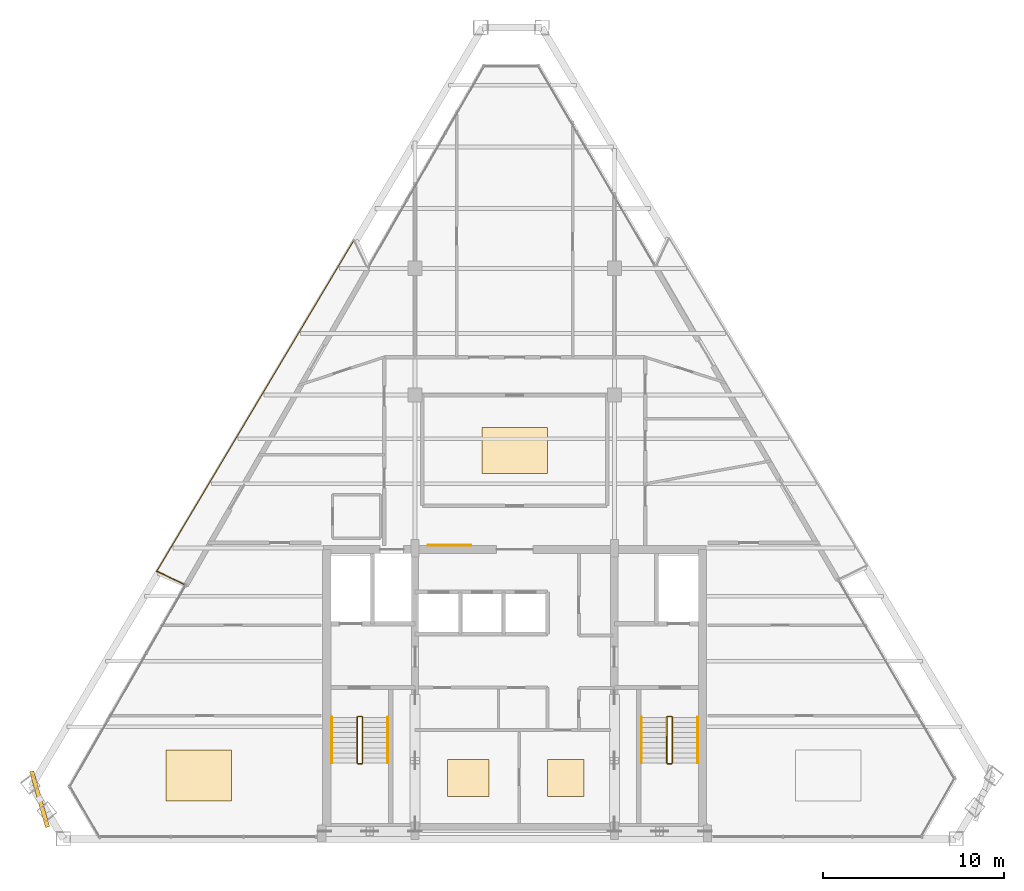
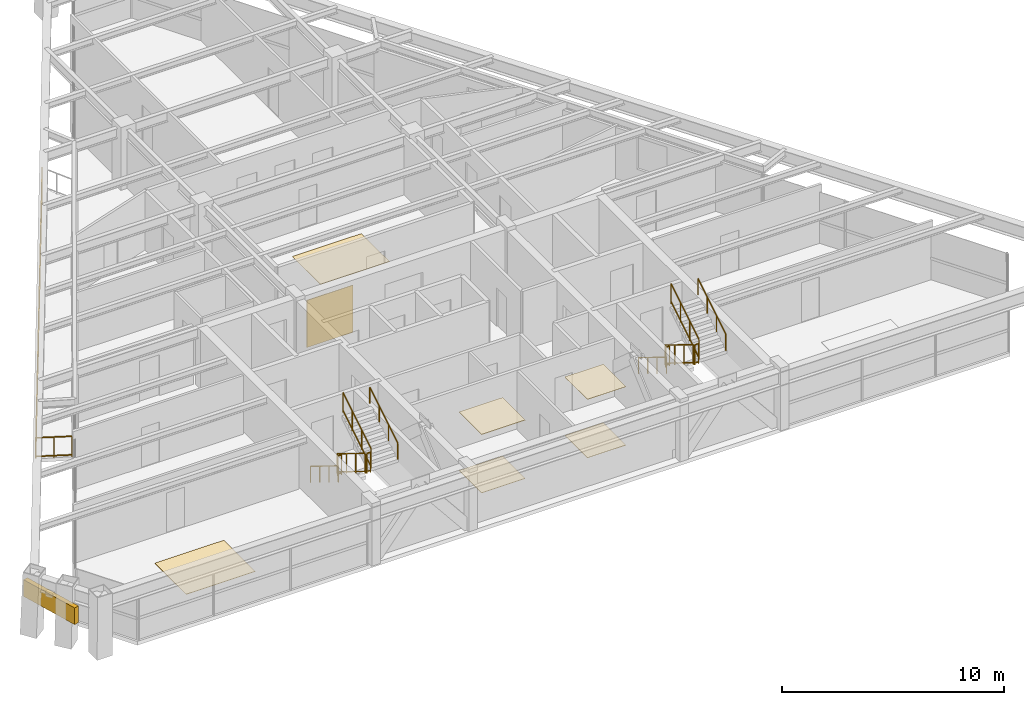
# One storey, part 12 of 13: 14 railings, 7 coverings, 1 shading device.
"""IFC4 building model written with IfcOpenShell, lengths in metres."""

from ifc_helpers import new_model, si_unit, direction, frame, origin, origin_2d, place, context, subcontext, project, spatial, rectangle, extrude, source, transform, mapped, material, layer, layer_set, type_object, type_shapes, element, save


model = new_model("IFC4")

# Units and contexts
model_context = context("Model", 3, precision=1e-05, world=origin(), true_north=direction((0.0, 1.0)))
body_context = subcontext(model_context, "Body", "Model", "MODEL_VIEW")
ifc_project = project(units=[si_unit("LENGTHUNIT", "METRE"), si_unit("AREAUNIT", "SQUARE_METRE"), si_unit("VOLUMEUNIT", "CUBIC_METRE"), si_unit("PLANEANGLEUNIT", "RADIAN"), si_unit("MASSUNIT", "GRAM", prefix="KILO")], contexts=[model_context])

# Site, building, storey
site_placement = place(None, origin())
site = spatial("IfcSite", under=ifc_project, at=site_placement, CompositionType="ELEMENT")
building_placement = place(site_placement, origin())
building = spatial("IfcBuilding", under=site, at=building_placement, Name="Varnakhor Terracotta Tower", CompositionType="ELEMENT")
storey_placement = place(building_placement, frame((0.0, 0.0, 286.800048828125)))
storey = spatial("IfcBuildingStorey", under=building, at=storey_placement, Name="L75", CompositionType="ELEMENT", Elevation=286.800048828125)

# Railings
ifc_material_1 = material(Name="Stainless Steel & Laminated Glass Guardrail", Category="steel")
railing_type_1 = type_object("IfcRailingType", Name="RLG-LOGGIA-GUARD-1150", PredefinedType="GUARDRAIL", material=ifc_material_1)
railing_1_placement = place(storey_placement, frame((-18.27001953125, 14.06298828125, 0.0)))
element("IfcRailing", 1, at=railing_1_placement, inside=storey, type_object=railing_type_1, Name="L75 W Loggia Glass Guard 1", PredefinedType="GUARDRAIL", context=body_context, shape_type="SweptSolid", body=[
    extrude(rectangle(XDim=0.048095703125, YDim=0.048095703125, at=origin_2d()), frame((0.0, 0.0, 1.1259765625), z_axis=(-0.901224607516, 0.433352289493, 0.0), x_axis=(-0.433352289493, -0.901224607516, 0.0)), (0.0, 0.0, 1.0), 1.64794921875),
    extrude(rectangle(XDim=0.048095703125, YDim=0.048095703125, at=origin_2d()), frame((0.0, 0.0, 0.10009765625), z_axis=(-0.901224607516, 0.433352289493, 0.0), x_axis=(-0.433352289493, -0.901224607516, 0.0)), (0.0, 0.0, 1.0), 1.64794921875),
    extrude(rectangle(XDim=0.0419921875, YDim=0.0419921875, at=origin_2d()), origin(), (0.0, 0.0, 1.0), 1.101806640625),
    extrude(rectangle(XDim=0.0419921875, YDim=0.0419921875, at=origin_2d()), frame((-0.74267578125, 0.35693359375, 0.0)), (0.0, 0.0, 1.0), 1.101806640625),
    extrude(rectangle(XDim=0.0419921875, YDim=0.0419921875, at=origin_2d()), frame((-1.485107421875, 0.714111328125, 0.0)), (0.0, 0.0, 1.0), 1.101806640625),
])
railing_2_placement = place(storey_placement, frame((-19.755126953125, 14.777099609375, 0.0)))
element("IfcRailing", 2, at=railing_2_placement, inside=storey, type_object=railing_type_1, Name="L75 W Loggia Glass Guard 2", PredefinedType="GUARDRAIL", context=body_context, shape_type="SweptSolid", body=[
    extrude(rectangle(XDim=0.048095703125, YDim=0.048095703125, at=origin_2d()), frame((0.0, 0.0, 1.1259765625), z_axis=(0.511507075382, 0.859279065167, 0.0), x_axis=(-0.859279065167, 0.511507075382, 0.0)), (0.0, 0.0, 1.0), 21.26123046875),
    extrude(rectangle(XDim=0.048095703125, YDim=0.048095703125, at=origin_2d()), frame((0.0, 0.0, 0.10009765625), z_axis=(0.511507075382, 0.859279065167, 0.0), x_axis=(-0.859279065167, 0.511507075382, 0.0)), (0.0, 0.0, 1.0), 21.26123046875),
    extrude(rectangle(XDim=0.0419921875, YDim=0.0419921875, at=origin_2d()), origin(), (0.0, 0.0, 1.0), 1.101806640625),
    extrude(rectangle(XDim=0.0419921875, YDim=0.0419921875, at=origin_2d()), frame((0.6796875, 1.141845703125, 0.0)), (0.0, 0.0, 1.0), 1.101806640625),
    extrude(rectangle(XDim=0.0419921875, YDim=0.0419921875, at=origin_2d()), frame((1.359375, 2.28369140625, 0.0)), (0.0, 0.0, 1.0), 1.101806640625),
    extrude(rectangle(XDim=0.0419921875, YDim=0.0419921875, at=origin_2d()), frame((2.0390625, 3.425537109375, 0.0)), (0.0, 0.0, 1.0), 1.101806640625),
    extrude(rectangle(XDim=0.0419921875, YDim=0.0419921875, at=origin_2d()), frame((2.71875, 4.5673828125, 0.0)), (0.0, 0.0, 1.0), 1.101806640625),
    extrude(rectangle(XDim=0.0419921875, YDim=0.0419921875, at=origin_2d()), frame((3.3984375, 5.709228515625, 0.0)), (0.0, 0.0, 1.0), 1.101806640625),
    extrude(rectangle(XDim=0.0419921875, YDim=0.0419921875, at=origin_2d()), frame((4.078125, 6.85107421875, 0.0)), (0.0, 0.0, 1.0), 1.101806640625),
    extrude(rectangle(XDim=0.0419921875, YDim=0.0419921875, at=origin_2d()), frame((4.7578125, 7.992919921875, 0.0)), (0.0, 0.0, 1.0), 1.101806640625),
    extrude(rectangle(XDim=0.0419921875, YDim=0.0419921875, at=origin_2d()), frame((5.4375, 9.134765625, 0.0)), (0.0, 0.0, 1.0), 1.101806640625),
    extrude(rectangle(XDim=0.0419921875, YDim=0.0419921875, at=origin_2d()), frame((6.117431640625, 10.2763671875, 0.0)), (0.0, 0.0, 1.0), 1.101806640625),
    extrude(rectangle(XDim=0.0419921875, YDim=0.0419921875, at=origin_2d()), frame((6.797119140625, 11.418212890625, 0.0)), (0.0, 0.0, 1.0), 1.101806640625),
    extrude(rectangle(XDim=0.0419921875, YDim=0.0419921875, at=origin_2d()), frame((7.476806640625, 12.56005859375, 0.0)), (0.0, 0.0, 1.0), 1.101806640625),
    extrude(rectangle(XDim=0.0419921875, YDim=0.0419921875, at=origin_2d()), frame((8.156494140625, 13.701904296875, 0.0)), (0.0, 0.0, 1.0), 1.101806640625),
    extrude(rectangle(XDim=0.0419921875, YDim=0.0419921875, at=origin_2d()), frame((8.836181640625, 14.84375, 0.0)), (0.0, 0.0, 1.0), 1.101806640625),
    extrude(rectangle(XDim=0.0419921875, YDim=0.0419921875, at=origin_2d()), frame((9.515869140625, 15.985595703125, 0.0)), (0.0, 0.0, 1.0), 1.101806640625),
    extrude(rectangle(XDim=0.0419921875, YDim=0.0419921875, at=origin_2d()), frame((10.195556640625, 17.12744140625, 0.0)), (0.0, 0.0, 1.0), 1.101806640625),
    extrude(rectangle(XDim=0.0419921875, YDim=0.0419921875, at=origin_2d()), frame((10.875244140625, 18.269287109375, 0.0)), (0.0, 0.0, 1.0), 1.101806640625),
])
ifc_material_2 = material(Name="Painted Steel Stairwell Guardrail", Category="steel")
railing_type_2 = type_object("IfcRailingType", Name="RLG-STAIR-GUARD-1120", PredefinedType="GUARDRAIL", material=ifc_material_2)
railing_3_placement = place(storey_placement, frame((-8.699951171875, 6.7099609375, 0.17236328125)))
element("IfcRailing", 3, at=railing_3_placement, inside=storey, type_object=railing_type_2, Name="L75 ST-1 stair guard 1", PredefinedType="GUARDRAIL", context=body_context, shape_type="SweptSolid", body=[
    extrude(rectangle(XDim=0.048095703125, YDim=0.048095703125, at=origin_2d()), frame((0.0, 0.0, 1.09619140625), z_axis=(0.0, -0.851400495292, 0.524516154772), x_axis=(1.0, 0.0, 0.0)), (0.0, 0.0, 1.0), 2.9599609375),
    extrude(rectangle(XDim=0.048095703125, YDim=0.048095703125, at=origin_2d()), frame((0.0, 0.0, 0.10009765625), z_axis=(0.0, -0.851400495292, 0.524516154772), x_axis=(1.0, 0.0, 0.0)), (0.0, 0.0, 1.0), 2.9599609375),
    extrude(rectangle(XDim=0.0419921875, YDim=0.0419921875, at=origin_2d()), origin(), (0.0, 0.0, 1.0), 1.072021484375),
    extrude(rectangle(XDim=0.0419921875, YDim=0.0419921875, at=origin_2d()), frame((0.0, -0.840087890625, 0.517578125)), (0.0, 0.0, 1.0), 1.072021484375),
    extrude(rectangle(XDim=0.0419921875, YDim=0.0419921875, at=origin_2d()), frame((0.0, -1.679931640625, 1.034912109375)), (0.0, 0.0, 1.0), 1.072021484375),
    extrude(rectangle(XDim=0.0419921875, YDim=0.0419921875, at=origin_2d()), frame((0.0, -2.52001953125, 1.552490234375)), (0.0, 0.0, 1.0), 1.072021484375),
])
railing_4_placement = place(storey_placement, frame((-8.64990234375, 4.139892578125, 1.724853515625)))
element("IfcRailing", 4, at=railing_4_placement, inside=storey, type_object=railing_type_2, Name="L75 ST-1 stair guard 2", PredefinedType="GUARDRAIL", context=body_context, shape_type="SweptSolid", body=[
    extrude(rectangle(XDim=0.048095703125, YDim=0.048095703125, at=origin_2d()), frame((0.0, 0.0, 1.09619140625), z_axis=(1.0, 0.0, 0.0), x_axis=(0.0, 1.0, 0.0)), (0.0, 0.0, 1.0), 0.199951171875),
    extrude(rectangle(XDim=0.048095703125, YDim=0.048095703125, at=origin_2d()), frame((0.0, 0.0, 0.10009765625), z_axis=(1.0, 0.0, 0.0), x_axis=(0.0, 1.0, 0.0)), (0.0, 0.0, 1.0), 0.199951171875),
    extrude(rectangle(XDim=0.0419921875, YDim=0.0419921875, at=origin_2d()), origin(), (0.0, 0.0, 1.0), 1.072021484375),
    extrude(rectangle(XDim=0.0419921875, YDim=0.0419921875, at=origin_2d()), frame((0.199951171875, 0.0, 0.0)), (0.0, 0.0, 1.0), 1.072021484375),
])
railing_5_placement = place(storey_placement, frame((-8.39990234375, 4.18994140625, 1.8974609375)))
element("IfcRailing", 5, at=railing_5_placement, inside=storey, type_object=railing_type_2, Name="L75 ST-1 stair guard 3", PredefinedType="GUARDRAIL", context=body_context, shape_type="SweptSolid", body=[
    extrude(rectangle(XDim=0.048095703125, YDim=0.048095703125, at=origin_2d()), frame((0.0, 0.0, 1.09619140625), z_axis=(0.0, 0.851400495292, 0.524516154772), x_axis=(-1.0, 0.0, 0.0)), (0.0, 0.0, 1.0), 2.9599609375),
    extrude(rectangle(XDim=0.048095703125, YDim=0.048095703125, at=origin_2d()), frame((0.0, 0.0, 0.10009765625), z_axis=(0.0, 0.851400495292, 0.524516154772), x_axis=(-1.0, 0.0, 0.0)), (0.0, 0.0, 1.0), 2.9599609375),
    extrude(rectangle(XDim=0.0419921875, YDim=0.0419921875, at=origin_2d()), origin(), (0.0, 0.0, 1.0), 1.072021484375),
    extrude(rectangle(XDim=0.0419921875, YDim=0.0419921875, at=origin_2d()), frame((0.0, 0.840087890625, 0.517578125)), (0.0, 0.0, 1.0), 1.072021484375),
    extrude(rectangle(XDim=0.0419921875, YDim=0.0419921875, at=origin_2d()), frame((0.0, 1.679931640625, 1.034912109375)), (0.0, 0.0, 1.0), 1.072021484375),
    extrude(rectangle(XDim=0.0419921875, YDim=0.0419921875, at=origin_2d()), frame((0.0, 2.52001953125, 1.552490234375)), (0.0, 0.0, 1.0), 1.072021484375),
])
railing_6_placement = place(storey_placement, frame((-8.64990234375, 6.760009765625, 0.0)))
element("IfcRailing", 6, at=railing_6_placement, inside=storey, type_object=railing_type_2, Name="L75 ST-1 stair guard 4", PredefinedType="GUARDRAIL", context=body_context, shape_type="SweptSolid", body=[
    extrude(rectangle(XDim=0.048095703125, YDim=0.048095703125, at=origin_2d()), frame((0.0, 0.0, 1.09619140625), z_axis=(1.0, 0.0, 0.0), x_axis=(0.0, 1.0, 0.0)), (0.0, 0.0, 1.0), 0.199951171875),
    extrude(rectangle(XDim=0.048095703125, YDim=0.048095703125, at=origin_2d()), frame((0.0, 0.0, 0.10009765625), z_axis=(1.0, 0.0, 0.0), x_axis=(0.0, 1.0, 0.0)), (0.0, 0.0, 1.0), 0.199951171875),
    extrude(rectangle(XDim=0.0419921875, YDim=0.0419921875, at=origin_2d()), origin(), (0.0, 0.0, 1.0), 1.072021484375),
    extrude(rectangle(XDim=0.0419921875, YDim=0.0419921875, at=origin_2d()), frame((0.199951171875, 0.0, 0.0)), (0.0, 0.0, 1.0), 1.072021484375),
])
railing_7_placement = place(storey_placement, frame((8.39990234375, 6.7099609375, 0.17236328125)))
element("IfcRailing", 7, at=railing_7_placement, inside=storey, type_object=railing_type_2, Name="L75 ST-2 stair guard 1", PredefinedType="GUARDRAIL", context=body_context, shape_type="SweptSolid", body=[
    extrude(rectangle(XDim=0.048095703125, YDim=0.048095703125, at=origin_2d()), frame((0.0, 0.0, 1.09619140625), z_axis=(0.0, -0.851400495292, 0.524516154772), x_axis=(1.0, 0.0, 0.0)), (0.0, 0.0, 1.0), 2.9599609375),
    extrude(rectangle(XDim=0.048095703125, YDim=0.048095703125, at=origin_2d()), frame((0.0, 0.0, 0.10009765625), z_axis=(0.0, -0.851400495292, 0.524516154772), x_axis=(1.0, 0.0, 0.0)), (0.0, 0.0, 1.0), 2.9599609375),
    extrude(rectangle(XDim=0.0419921875, YDim=0.0419921875, at=origin_2d()), origin(), (0.0, 0.0, 1.0), 1.072021484375),
    extrude(rectangle(XDim=0.0419921875, YDim=0.0419921875, at=origin_2d()), frame((0.0, -0.840087890625, 0.517578125)), (0.0, 0.0, 1.0), 1.072021484375),
    extrude(rectangle(XDim=0.0419921875, YDim=0.0419921875, at=origin_2d()), frame((0.0, -1.679931640625, 1.034912109375)), (0.0, 0.0, 1.0), 1.072021484375),
    extrude(rectangle(XDim=0.0419921875, YDim=0.0419921875, at=origin_2d()), frame((0.0, -2.52001953125, 1.552490234375)), (0.0, 0.0, 1.0), 1.072021484375),
])
railing_8_placement = place(storey_placement, frame((8.449951171875, 4.139892578125, 1.724853515625)))
element("IfcRailing", 8, at=railing_8_placement, inside=storey, type_object=railing_type_2, Name="L75 ST-2 stair guard 2", PredefinedType="GUARDRAIL", context=body_context, shape_type="SweptSolid", body=[
    extrude(rectangle(XDim=0.048095703125, YDim=0.048095703125, at=origin_2d()), frame((0.0, 0.0, 1.09619140625), z_axis=(1.0, 0.0, 0.0), x_axis=(0.0, 1.0, 0.0)), (0.0, 0.0, 1.0), 0.199951171875),
    extrude(rectangle(XDim=0.048095703125, YDim=0.048095703125, at=origin_2d()), frame((0.0, 0.0, 0.10009765625), z_axis=(1.0, 0.0, 0.0), x_axis=(0.0, 1.0, 0.0)), (0.0, 0.0, 1.0), 0.199951171875),
    extrude(rectangle(XDim=0.0419921875, YDim=0.0419921875, at=origin_2d()), origin(), (0.0, 0.0, 1.0), 1.072021484375),
    extrude(rectangle(XDim=0.0419921875, YDim=0.0419921875, at=origin_2d()), frame((0.199951171875, 0.0, 0.0)), (0.0, 0.0, 1.0), 1.072021484375),
])
railing_9_placement = place(storey_placement, frame((8.699951171875, 4.18994140625, 1.8974609375)))
element("IfcRailing", 9, at=railing_9_placement, inside=storey, type_object=railing_type_2, Name="L75 ST-2 stair guard 3", PredefinedType="GUARDRAIL", context=body_context, shape_type="SweptSolid", body=[
    extrude(rectangle(XDim=0.048095703125, YDim=0.048095703125, at=origin_2d()), frame((0.0, 0.0, 1.09619140625), z_axis=(0.0, 0.851400495292, 0.524516154772), x_axis=(-1.0, 0.0, 0.0)), (0.0, 0.0, 1.0), 2.9599609375),
    extrude(rectangle(XDim=0.048095703125, YDim=0.048095703125, at=origin_2d()), frame((0.0, 0.0, 0.10009765625), z_axis=(0.0, 0.851400495292, 0.524516154772), x_axis=(-1.0, 0.0, 0.0)), (0.0, 0.0, 1.0), 2.9599609375),
    extrude(rectangle(XDim=0.0419921875, YDim=0.0419921875, at=origin_2d()), origin(), (0.0, 0.0, 1.0), 1.072021484375),
    extrude(rectangle(XDim=0.0419921875, YDim=0.0419921875, at=origin_2d()), frame((0.0, 0.840087890625, 0.517578125)), (0.0, 0.0, 1.0), 1.072021484375),
    extrude(rectangle(XDim=0.0419921875, YDim=0.0419921875, at=origin_2d()), frame((0.0, 1.679931640625, 1.034912109375)), (0.0, 0.0, 1.0), 1.072021484375),
    extrude(rectangle(XDim=0.0419921875, YDim=0.0419921875, at=origin_2d()), frame((0.0, 2.52001953125, 1.552490234375)), (0.0, 0.0, 1.0), 1.072021484375),
])
railing_10_placement = place(storey_placement, frame((8.449951171875, 6.760009765625, 0.0)))
element("IfcRailing", 10, at=railing_10_placement, inside=storey, type_object=railing_type_2, Name="L75 ST-2 stair guard 4", PredefinedType="GUARDRAIL", context=body_context, shape_type="SweptSolid", body=[
    extrude(rectangle(XDim=0.048095703125, YDim=0.048095703125, at=origin_2d()), frame((0.0, 0.0, 1.09619140625), z_axis=(1.0, 0.0, 0.0), x_axis=(0.0, 1.0, 0.0)), (0.0, 0.0, 1.0), 0.199951171875),
    extrude(rectangle(XDim=0.048095703125, YDim=0.048095703125, at=origin_2d()), frame((0.0, 0.0, 0.10009765625), z_axis=(1.0, 0.0, 0.0), x_axis=(0.0, 1.0, 0.0)), (0.0, 0.0, 1.0), 0.199951171875),
    extrude(rectangle(XDim=0.0419921875, YDim=0.0419921875, at=origin_2d()), origin(), (0.0, 0.0, 1.0), 1.072021484375),
    extrude(rectangle(XDim=0.0419921875, YDim=0.0419921875, at=origin_2d()), frame((0.199951171875, 0.0, 0.0)), (0.0, 0.0, 1.0), 1.072021484375),
])
ifc_material_3 = material(Name="Brushed Stainless Steel Handrail", Category="steel")
railing_type_3 = type_object("IfcRailingType", Name="RLG-STAIR-HANDRAIL-920", PredefinedType="HANDRAIL", material=ifc_material_3)
railing_11_placement = place(storey_placement, frame((-10.10009765625, 6.7099609375, 0.17236328125)))
element("IfcRailing", 11, at=railing_11_placement, inside=storey, type_object=railing_type_3, Name="L75 ST-1 stair handrail 1", PredefinedType="HANDRAIL", context=body_context, shape_type="SweptSolid", body=[
    extrude(rectangle(XDim=0.048095703125, YDim=0.048095703125, at=origin_2d()), frame((0.0, 0.0, 0.89599609375), z_axis=(0.0, -0.851400495292, 0.524516154772), x_axis=(1.0, 0.0, 0.0)), (0.0, 0.0, 1.0), 2.9599609375),
    extrude(rectangle(XDim=0.0419921875, YDim=0.0419921875, at=origin_2d()), origin(), (0.0, 0.0, 1.0), 0.871826171875),
    extrude(rectangle(XDim=0.0419921875, YDim=0.0419921875, at=origin_2d()), frame((0.0, -0.840087890625, 0.517578125)), (0.0, 0.0, 1.0), 0.871826171875),
    extrude(rectangle(XDim=0.0419921875, YDim=0.0419921875, at=origin_2d()), frame((0.0, -1.679931640625, 1.034912109375)), (0.0, 0.0, 1.0), 0.871826171875),
    extrude(rectangle(XDim=0.0419921875, YDim=0.0419921875, at=origin_2d()), frame((0.0, -2.52001953125, 1.552490234375)), (0.0, 0.0, 1.0), 0.871826171875),
])
railing_12_placement = place(storey_placement, frame((-7.0, 4.18994140625, 1.8974609375)))
element("IfcRailing", 12, at=railing_12_placement, inside=storey, type_object=railing_type_3, Name="L75 ST-1 stair handrail 2", PredefinedType="HANDRAIL", context=body_context, shape_type="SweptSolid", body=[
    extrude(rectangle(XDim=0.048095703125, YDim=0.048095703125, at=origin_2d()), frame((0.0, 0.0, 0.89599609375), z_axis=(0.0, 0.851400495292, 0.524516154772), x_axis=(-1.0, 0.0, 0.0)), (0.0, 0.0, 1.0), 2.9599609375),
    extrude(rectangle(XDim=0.0419921875, YDim=0.0419921875, at=origin_2d()), origin(), (0.0, 0.0, 1.0), 0.871826171875),
    extrude(rectangle(XDim=0.0419921875, YDim=0.0419921875, at=origin_2d()), frame((0.0, 0.840087890625, 0.517578125)), (0.0, 0.0, 1.0), 0.871826171875),
    extrude(rectangle(XDim=0.0419921875, YDim=0.0419921875, at=origin_2d()), frame((0.0, 1.679931640625, 1.034912109375)), (0.0, 0.0, 1.0), 0.871826171875),
    extrude(rectangle(XDim=0.0419921875, YDim=0.0419921875, at=origin_2d()), frame((0.0, 2.52001953125, 1.552490234375)), (0.0, 0.0, 1.0), 0.871826171875),
])
railing_13_placement = place(storey_placement, frame((7.0, 6.7099609375, 0.17236328125)))
element("IfcRailing", 13, at=railing_13_placement, inside=storey, type_object=railing_type_3, Name="L75 ST-2 stair handrail 1", PredefinedType="HANDRAIL", context=body_context, shape_type="SweptSolid", body=[
    extrude(rectangle(XDim=0.048095703125, YDim=0.048095703125, at=origin_2d()), frame((0.0, 0.0, 0.89599609375), z_axis=(0.0, -0.851400495292, 0.524516154772), x_axis=(1.0, 0.0, 0.0)), (0.0, 0.0, 1.0), 2.9599609375),
    extrude(rectangle(XDim=0.0419921875, YDim=0.0419921875, at=origin_2d()), origin(), (0.0, 0.0, 1.0), 0.871826171875),
    extrude(rectangle(XDim=0.0419921875, YDim=0.0419921875, at=origin_2d()), frame((0.0, -0.840087890625, 0.517578125)), (0.0, 0.0, 1.0), 0.871826171875),
    extrude(rectangle(XDim=0.0419921875, YDim=0.0419921875, at=origin_2d()), frame((0.0, -1.679931640625, 1.034912109375)), (0.0, 0.0, 1.0), 0.871826171875),
    extrude(rectangle(XDim=0.0419921875, YDim=0.0419921875, at=origin_2d()), frame((0.0, -2.52001953125, 1.552490234375)), (0.0, 0.0, 1.0), 0.871826171875),
])
railing_14_placement = place(storey_placement, frame((10.10009765625, 4.18994140625, 1.8974609375)))
element("IfcRailing", 14, at=railing_14_placement, inside=storey, type_object=railing_type_3, Name="L75 ST-2 stair handrail 2", PredefinedType="HANDRAIL", context=body_context, shape_type="SweptSolid", body=[
    extrude(rectangle(XDim=0.048095703125, YDim=0.048095703125, at=origin_2d()), frame((0.0, 0.0, 0.89599609375), z_axis=(0.0, 0.851400495292, 0.524516154772), x_axis=(-1.0, 0.0, 0.0)), (0.0, 0.0, 1.0), 2.9599609375),
    extrude(rectangle(XDim=0.0419921875, YDim=0.0419921875, at=origin_2d()), origin(), (0.0, 0.0, 1.0), 0.871826171875),
    extrude(rectangle(XDim=0.0419921875, YDim=0.0419921875, at=origin_2d()), frame((0.0, 0.840087890625, 0.517578125)), (0.0, 0.0, 1.0), 0.871826171875),
    extrude(rectangle(XDim=0.0419921875, YDim=0.0419921875, at=origin_2d()), frame((0.0, 1.679931640625, 1.034912109375)), (0.0, 0.0, 1.0), 0.871826171875),
    extrude(rectangle(XDim=0.0419921875, YDim=0.0419921875, at=origin_2d()), frame((0.0, 2.52001953125, 1.552490234375)), (0.0, 0.0, 1.0), 0.871826171875),
])

# Shading device
ifc_material_4 = material(Name="Extruded Architectural Terracotta Screen", Category="masonry")
shading_device_type = type_object("IfcShadingDeviceType", Name="TERRACOTTA SOLAR SCREEN W", PredefinedType="USERDEFINED", material=ifc_material_4)
shared_shape_1 = source(origin(), body_context, "Body", "SweptSolid", [
    extrude(rectangle(XDim=3.199951171875, YDim=0.239990234375, at=origin_2d()), origin(), (0.0, 0.0, 1.0), 0.919921875),
])
type_shapes(shading_device_type, [shared_shape_1])
shading_device_placement = place(storey_placement, frame((-26.226318359375, 2.193603515625, 1.56201171875), z_axis=(0.0, 0.0, 1.0), x_axis=(0.275805123434, -0.961213573504, 0.0)))
element("IfcShadingDevice", 15, at=shading_device_placement, inside=storey, type_object=shading_device_type, Name="L75 W Terracotta Solar Screen", ObjectType="SCREEN", PredefinedType="USERDEFINED", context=body_context, shape_type="MappedRepresentation", body=[
    mapped(shared_shape_1, transform((0.0, 0.0, 0.0), scale=1.0)),
])

# Coverings
ifc_material_5 = material(Name="Extruded Architectural Terracotta Cladding", Category="masonry")
ifc_layer_1 = layer(ifc_material_5, 0.044921875, Name="Extruded Architectural Terracotta Cladding")
ifc_layer_set_1 = layer_set([ifc_layer_1], Name="Extruded Architectural Terracotta Cladding")
covering_type_1 = type_object("IfcCoveringType", Name="COV-CLAD-TERRACOTTA", PredefinedType="CLADDING", material=ifc_layer_set_1)
shared_shape_2 = source(origin(), body_context, "Body", "SweptSolid", [
    extrude(rectangle(XDim=2.39990234375, YDim=0.030029296875, at=origin_2d()), origin(), (0.0, 0.0, 1.0), 2.60009765625),
])
type_shapes(covering_type_1, [shared_shape_2])
covering_1_placement = place(storey_placement, frame((-3.60009765625, 16.2119140625, 0.0), z_axis=(0.0, 0.0, 1.0), x_axis=(1.0, 0.0, 0.0)))
element("IfcCovering", 16, at=covering_1_placement, inside=storey, type_object=covering_type_1, Name="L75 Core Lobby Limestone Cladding", PredefinedType="CLADDING", context=body_context, shape_type="MappedRepresentation", body=[
    mapped(shared_shape_2, transform((0.0, 0.0, 0.0), scale=1.0)),
])
ifc_material_6 = material(Name="Honed Riyadh Limestone Flooring", Category="masonry")
ifc_layer_2 = layer(ifc_material_6, 0.030029296875, Name="Honed Riyadh Limestone Flooring")
ifc_layer_set_2 = layer_set([ifc_layer_2], Name="Honed Riyadh Limestone Flooring")
covering_type_2 = type_object("IfcCoveringType", Name="COV-FLOOR-LIMESTONE", PredefinedType="FLOORING", material=ifc_layer_set_2)
shared_shape_3 = source(origin(), body_context, "Body", "SweptSolid", [
    extrude(rectangle(XDim=2.281982421875, YDim=2.041015625, at=origin_2d()), origin(), (0.0, 0.0, 1.0), 0.02001953125),
])
covering_2_placement = place(storey_placement, frame((-2.56494140625, 3.35498046875, 0.0), z_axis=(0.0, 0.0, 1.0), x_axis=(1.0, 0.0, 0.0)))
element("IfcCovering", 17, at=covering_2_placement, inside=storey, type_object=covering_type_2, Name="L75 Honed Stone Flooring 1", PredefinedType="FLOORING", context=body_context, shape_type="MappedRepresentation", body=[
    mapped(shared_shape_3, transform((0.0, 0.0, 0.0), scale=1.0)),
])
ifc_material_7 = material(Name="Perforated Acoustic Mineral-Fibre Ceiling", Category="gypsum")
ifc_layer_3 = layer(ifc_material_7, 0.02490234375, Name="Perforated Acoustic Mineral-Fibre Ceiling")
ifc_layer_set_3 = layer_set([ifc_layer_3], Name="Perforated Acoustic Mineral-Fibre Ceiling")
covering_type_3 = type_object("IfcCoveringType", Name="COV-CEILING-ACOUSTIC", PredefinedType="CEILING", material=ifc_layer_set_3)
shared_shape_4 = source(origin(), body_context, "Body", "SweptSolid", [
    extrude(rectangle(XDim=2.281982421875, YDim=2.041015625, at=origin_2d()), origin(), (0.0, 0.0, 1.0), 0.02392578125),
])
covering_3_placement = place(storey_placement, frame((-2.56494140625, 3.35498046875, 3.216064453125), z_axis=(0.0, 0.0, 1.0), x_axis=(1.0, 0.0, 0.0)))
element("IfcCovering", 18, at=covering_3_placement, inside=storey, type_object=covering_type_3, Name="L75 Acoustic Ceiling Panel 1", PredefinedType="CEILING", context=body_context, shape_type="MappedRepresentation", body=[
    mapped(shared_shape_4, transform((0.0, 0.0, 0.0), scale=1.0)),
])
shared_shape_5 = source(origin(), body_context, "Body", "SweptSolid", [
    extrude(rectangle(XDim=2.007080078125, YDim=2.041015625, at=origin_2d()), origin(), (0.0, 0.0, 1.0), 0.02001953125),
])
covering_4_placement = place(storey_placement, frame((2.81494140625, 3.35498046875, 0.0), z_axis=(0.0, 0.0, 1.0), x_axis=(1.0, 0.0, 0.0)))
element("IfcCovering", 19, at=covering_4_placement, inside=storey, type_object=covering_type_2, Name="L75 Honed Stone Flooring 2", PredefinedType="FLOORING", context=body_context, shape_type="MappedRepresentation", body=[
    mapped(shared_shape_5, transform((0.0, 0.0, 0.0), scale=1.0)),
])
shared_shape_6 = source(origin(), body_context, "Body", "SweptSolid", [
    extrude(rectangle(XDim=2.007080078125, YDim=2.041015625, at=origin_2d()), origin(), (0.0, 0.0, 1.0), 0.02392578125),
])
covering_5_placement = place(storey_placement, frame((2.81494140625, 3.35498046875, 3.216064453125), z_axis=(0.0, 0.0, 1.0), x_axis=(1.0, 0.0, 0.0)))
element("IfcCovering", 20, at=covering_5_placement, inside=storey, type_object=covering_type_3, Name="L75 Acoustic Ceiling Panel 2", PredefinedType="CEILING", context=body_context, shape_type="MappedRepresentation", body=[
    mapped(shared_shape_6, transform((0.0, 0.0, 0.0), scale=1.0)),
])
shared_shape_7 = source(origin(), body_context, "Body", "SweptSolid", [
    extrude(rectangle(XDim=3.60009765625, YDim=2.83203125, at=origin_2d()), origin(), (0.0, 0.0, 1.0), 0.02001953125),
])
covering_6_placement = place(storey_placement, frame((-17.44189453125, 3.50390625, 0.0), z_axis=(0.0, 0.0, 1.0), x_axis=(1.0, 0.0, 0.0)))
element("IfcCovering", 21, at=covering_6_placement, inside=storey, type_object=covering_type_2, Name="L75 Honed Stone Flooring 4", PredefinedType="FLOORING", context=body_context, shape_type="MappedRepresentation", body=[
    mapped(shared_shape_7, transform((0.0, 0.0, 0.0), scale=1.0)),
])
shared_shape_8 = source(origin(), body_context, "Body", "SweptSolid", [
    extrude(rectangle(XDim=3.60009765625, YDim=2.531982421875, at=origin_2d()), origin(), (0.0, 0.0, 1.0), 0.02001953125),
])
covering_7_placement = place(storey_placement, frame((0.0, 21.449951171875, 0.0), z_axis=(0.0, 0.0, 1.0), x_axis=(1.0, 0.0, 0.0)))
element("IfcCovering", 22, at=covering_7_placement, inside=storey, type_object=covering_type_2, Name="L75 Honed Stone Flooring 5", PredefinedType="FLOORING", context=body_context, shape_type="MappedRepresentation", body=[
    mapped(shared_shape_8, transform((0.0, 0.0, 0.0), scale=1.0)),
])

save(model, "model.ifc")
